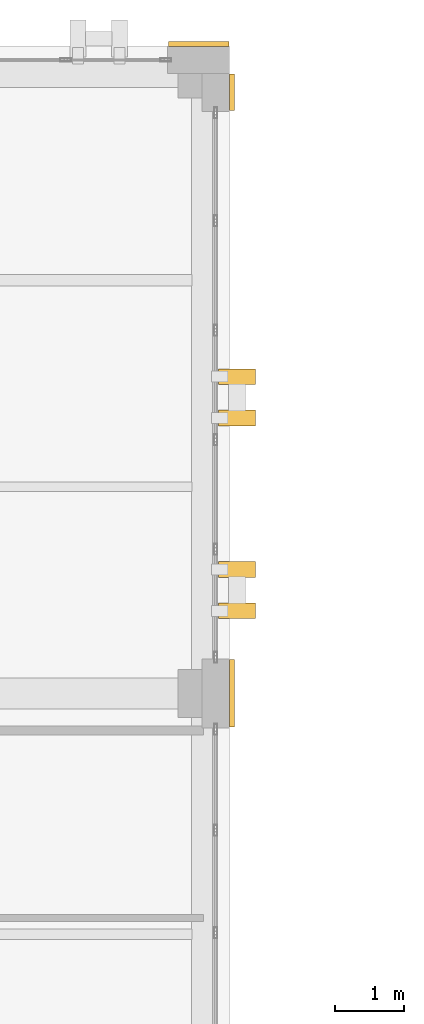
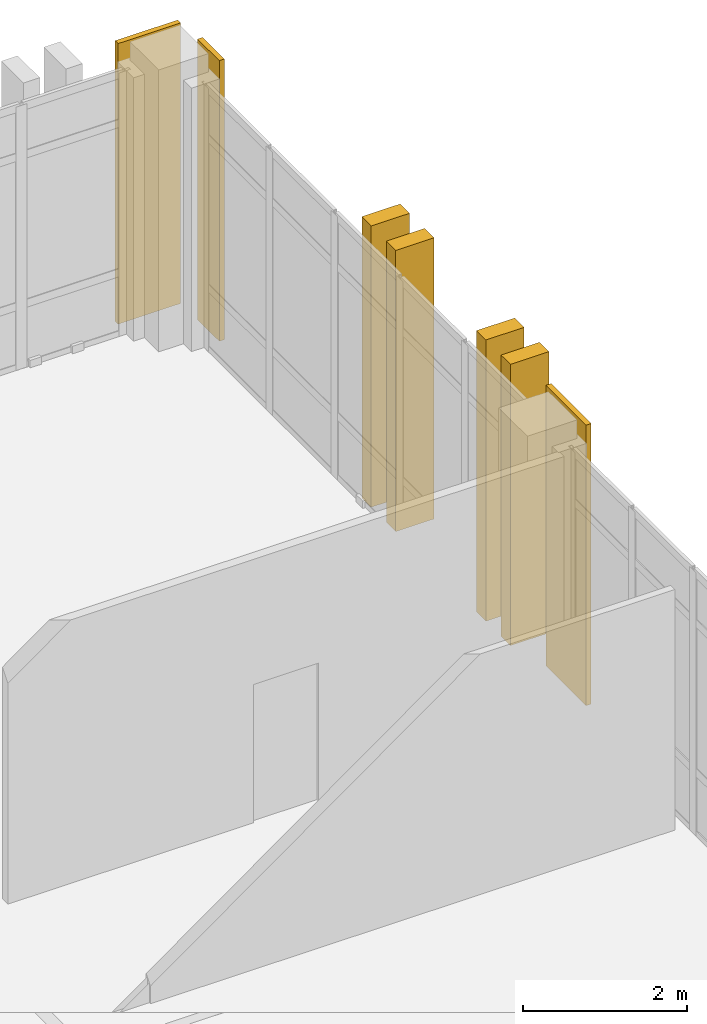
# One storey, part 154 of 158: 7 coverings.
"""IFC4 building model written with IfcOpenShell, lengths in metres."""

from ifc_helpers import new_model, si_unit, direction, frame, origin, origin_2d, place, context, subcontext, project, spatial, rectangle, extrude, material, layer, layer_set, type_object, element, save


model = new_model("IFC4")

# Units and contexts
model_context = context("Model", 3, precision=1e-05, world=origin(), true_north=direction((0.0, 1.0)))
body_context = subcontext(model_context, "Body", "Model", "MODEL_VIEW")
ifc_project = project(units=[si_unit("LENGTHUNIT", "METRE"), si_unit("AREAUNIT", "SQUARE_METRE"), si_unit("VOLUMEUNIT", "CUBIC_METRE"), si_unit("PLANEANGLEUNIT", "RADIAN"), si_unit("MASSUNIT", "GRAM", prefix="KILO")], contexts=[model_context])

# Site, building, storey
site_placement = place(None, origin())
site = spatial("IfcSite", under=ifc_project, at=site_placement, CompositionType="ELEMENT")
building_placement = place(site_placement, origin())
building = spatial("IfcBuilding", under=site, at=building_placement, Name="Qalavern Law Courts", CompositionType="ELEMENT")
storey_placement = place(building_placement, frame((0.0, 0.0, 18.60009765625)))
storey = spatial("IfcBuildingStorey", under=building, at=storey_placement, Name="L04", CompositionType="ELEMENT", Elevation=18.60009765625)

# Coverings
ifc_material = material(Name="Precast concrete C40/50", Category="concrete")
ifc_layer_1 = layer(ifc_material, 0.22998046875)
ifc_layer_set_1 = layer_set([ifc_layer_1], Name="Precast concrete C40/50")
covering_type_1 = type_object("IfcCoveringType", Name="ENV-BLD-2", PredefinedType="CLADDING", material=ifc_layer_set_1)
for number, where, z_axis, x_axis, name in (
    (1, (66.909912109375, 104.800048828125, 0.0048828125), (0.0, 0.0, 1.0), (1.0, 0.0, 0.0), "Absheron stone facade blade 1087"),
    (2, (66.909912109375, 105.39990234375, 0.0048828125), (0.0, 0.0, 1.0), (1.0, 0.0, 0.0), "Absheron stone facade blade 1088"),
    (3, (66.909912109375, 107.60009765625, 0.0048828125), (0.0, 0.0, 1.0), (1.0, 0.0, 0.0), "Absheron stone facade blade 1089"),
    (4, (66.909912109375, 108.199951171875, 0.0048828125), (0.0, 0.0, 1.0), (1.0, 0.0, 0.0), "Absheron stone facade blade 1090"),
):
    element("IfcCovering", number, at=place(storey_placement, frame(where, z_axis=z_axis, x_axis=x_axis)), inside=storey, type_object=covering_type_1, Name=name, PredefinedType="CLADDING", context=body_context, shape_type="SweptSolid", body=[
        extrude(rectangle(XDim=0.5400390625, YDim=0.22998046875, at=origin_2d()), origin(), (0.0, 0.0, 1.0), 4.18994140625),
    ])
ifc_layer_2 = layer(ifc_material, 0.072021484375)
ifc_layer_set_2 = layer_set([ifc_layer_2], Name="Precast concrete C40/50")
covering_type_2 = type_object("IfcCoveringType", Name="ENV-CLD-2", PredefinedType="CLADDING", material=ifc_layer_set_2)
covering_1_placement = place(storey_placement, frame((66.8330078125, 103.60009765625, 0.009765625), z_axis=(0.0, 0.0, 1.0), x_axis=(0.0, 1.0, 0.0)))
element("IfcCovering", 5, at=covering_1_placement, inside=storey, type_object=covering_type_2, Name="V5 Absheron limestone pier facing L04 east 2", PredefinedType="CLADDING", context=body_context, shape_type="SweptSolid", body=[
    extrude(rectangle(XDim=0.97998046875, YDim=0.072021484375, at=origin_2d()), origin(), (0.0, 0.0, 1.0), 4.179931640625),
])
covering_2_placement = place(storey_placement, frame((66.8330078125, 112.330078125, 0.009765625), z_axis=(0.0, 0.0, 1.0), x_axis=(0.0, 1.0, 0.0)))
element("IfcCovering", 6, at=covering_2_placement, inside=storey, type_object=covering_type_2, Name="V5 Absheron limestone pier facing L04 east 3", PredefinedType="CLADDING", context=body_context, shape_type="SweptSolid", body=[
    extrude(rectangle(XDim=0.530029296875, YDim=0.072021484375, at=origin_2d()), origin(), (0.0, 0.0, 1.0), 4.179931640625),
])
covering_3_placement = place(storey_placement, frame((66.35009765625, 113.032958984375, 0.009765625), z_axis=(0.0, 0.0, 1.0), x_axis=(-1.0, 0.0, 0.0)))
element("IfcCovering", 7, at=covering_3_placement, inside=storey, type_object=covering_type_2, Name="V5 Absheron limestone pier facing L04 north 1", PredefinedType="CLADDING", context=body_context, shape_type="SweptSolid", body=[
    extrude(rectangle(XDim=0.8798828125, YDim=0.072021484375, at=origin_2d()), origin(), (0.0, 0.0, 1.0), 4.179931640625),
])

save(model, "model.ifc")
